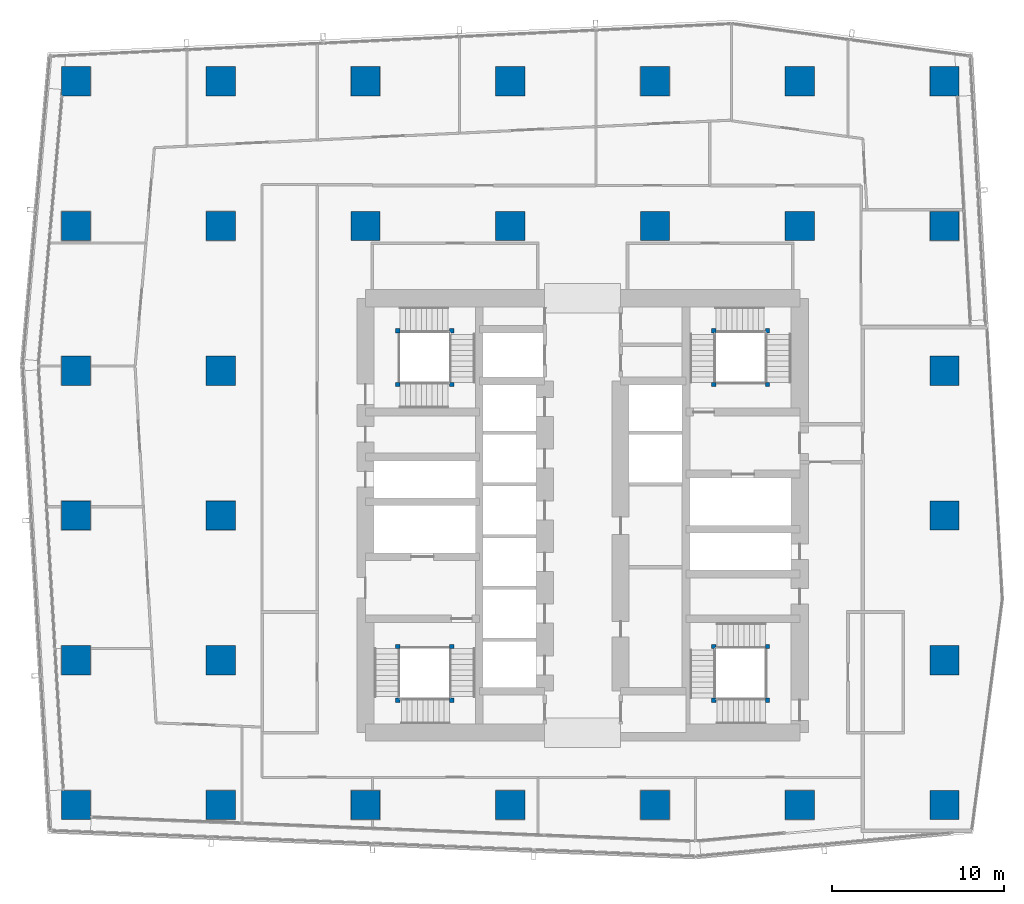
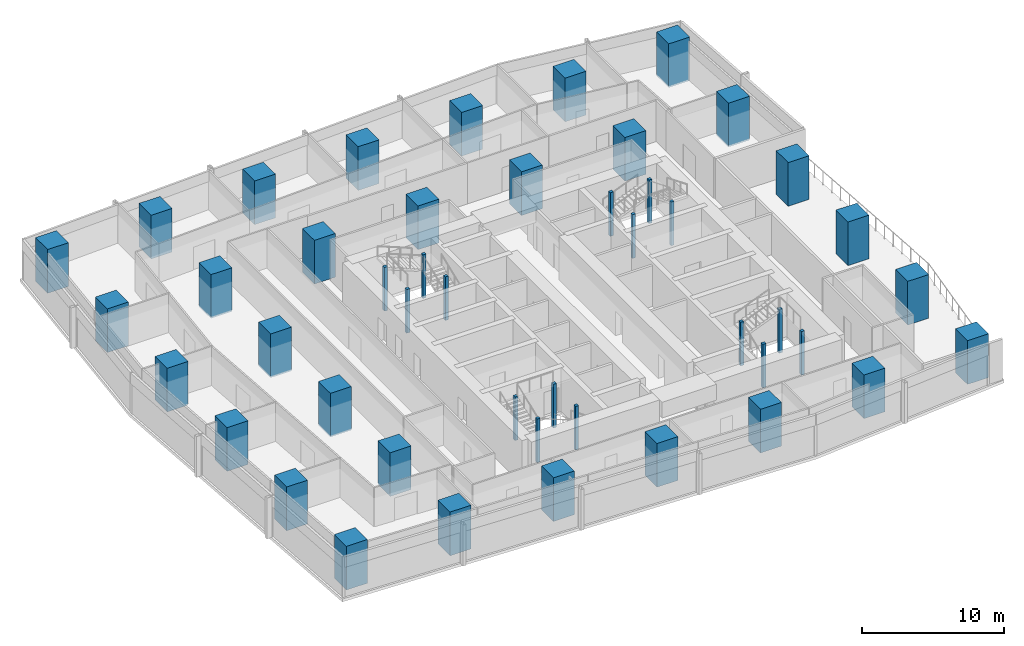
# One storey, part 1 of 34: 46 columns.
"""IFC4 building model written with IfcOpenShell, lengths in metres."""

from ifc_helpers import new_model, si_unit, direction, frame, origin, origin_2d, place, context, subcontext, project, spatial, rectangle, extrude, material, material_profile, profile_set, type_object, element, save


model = new_model("IFC4")

# Units and contexts
model_context = context("Model", 3, precision=1e-05, world=origin(), true_north=direction((0.0, 1.0)))
body_context = subcontext(model_context, "Body", "Model", "MODEL_VIEW")
ifc_project = project(units=[si_unit("LENGTHUNIT", "METRE"), si_unit("AREAUNIT", "SQUARE_METRE"), si_unit("VOLUMEUNIT", "CUBIC_METRE"), si_unit("PLANEANGLEUNIT", "RADIAN"), si_unit("MASSUNIT", "GRAM", prefix="KILO")], contexts=[model_context])

# Site, building, storey
site_placement = place(None, origin())
site = spatial("IfcSite", under=ifc_project, at=site_placement, CompositionType="ELEMENT")
building_placement = place(site_placement, origin())
building = spatial("IfcBuilding", under=site, at=building_placement, Name="Rekha Terrace Tower", CompositionType="ELEMENT")
storey_placement = place(building_placement, frame((0.0, 0.0, 176.449951171875)))
storey = spatial("IfcBuildingStorey", under=building, at=storey_placement, Name="L44", CompositionType="ELEMENT", Elevation=176.449951171875)

# Columns
ifc_material_1 = material(Name="Concrete M70", Category="concrete")
ifc_material_profile_1 = material_profile(ifc_material_1, rectangle(XDim=1.699951171875, YDim=1.699951171875, at=origin_2d()), Name="RC 1700x1700")
ifc_profile_set_1 = profile_set([ifc_material_profile_1], Name="Concrete M70")
column_type_1 = type_object("IfcColumnType", Name="C4C 1700x1700 column", PredefinedType="COLUMN", material=ifc_profile_set_1)
for number, where, z_axis, x_axis, name in (
    (1, (8.39990234375, 16.800048828125, 0.0), (0.0, 0.0, 1.0), (1.0, 0.0, 0.0), "Column C4C 2/C L44"),
    (2, (8.39990234375, 25.199951171875, 0.0), (0.0, 0.0, 1.0), (1.0, 0.0, 0.0), "Column C4C 2/D L44"),
    (3, (8.39990234375, 33.60009765625, 0.0), (0.0, 0.0, 1.0), (1.0, 0.0, 0.0), "Column C4C 2/E L44"),
    (4, (8.39990234375, 42.0, 0.0), (0.0, 0.0, 1.0), (1.0, 0.0, 0.0), "Column C4C 2/F L44"),
    (5, (8.39990234375, 50.39990234375, 0.0), (0.0, 0.0, 1.0), (1.0, 0.0, 0.0), "Column C4C 2/G L44"),
    (6, (8.39990234375, 58.800048828125, 0.0), (0.0, 0.0, 1.0), (1.0, 0.0, 0.0), "Column C4C 2/H L44"),
    (7, (16.800048828125, 16.800048828125, 0.0), (0.0, 0.0, 1.0), (1.0, 0.0, 0.0), "Column C4C 3/C L44"),
    (8, (16.800048828125, 25.199951171875, 0.0), (0.0, 0.0, 1.0), (1.0, 0.0, 0.0), "Column C4C 3/D L44"),
    (9, (16.800048828125, 33.60009765625, 0.0), (0.0, 0.0, 1.0), (1.0, 0.0, 0.0), "Column C4C 3/E L44"),
    (10, (16.800048828125, 42.0, 0.0), (0.0, 0.0, 1.0), (1.0, 0.0, 0.0), "Column C4C 3/F L44"),
    (11, (16.800048828125, 50.39990234375, 0.0), (0.0, 0.0, 1.0), (1.0, 0.0, 0.0), "Column C4C 3/G L44"),
    (12, (16.800048828125, 58.800048828125, 0.0), (0.0, 0.0, 1.0), (1.0, 0.0, 0.0), "Column C4C 3/H L44"),
    (13, (25.199951171875, 16.800048828125, 0.0), (0.0, 0.0, 1.0), (1.0, 0.0, 0.0), "Column C4C 4/C L44"),
    (14, (25.199951171875, 50.39990234375, 0.0), (0.0, 0.0, 1.0), (1.0, 0.0, 0.0), "Column C4C 4/G L44"),
    (15, (25.199951171875, 58.800048828125, 0.0), (0.0, 0.0, 1.0), (1.0, 0.0, 0.0), "Column C4C 4/H L44"),
    (16, (33.60009765625, 16.800048828125, 0.0), (0.0, 0.0, 1.0), (1.0, 0.0, 0.0), "Column C4C 5/C L44"),
    (17, (33.60009765625, 50.39990234375, 0.0), (0.0, 0.0, 1.0), (1.0, 0.0, 0.0), "Column C4C 5/G L44"),
    (18, (33.60009765625, 58.800048828125, 0.0), (0.0, 0.0, 1.0), (1.0, 0.0, 0.0), "Column C4C 5/H L44"),
    (19, (42.0, 16.800048828125, 0.0), (0.0, 0.0, 1.0), (1.0, 0.0, 0.0), "Column C4C 6/C L44"),
    (20, (42.0, 50.39990234375, 0.0), (0.0, 0.0, 1.0), (1.0, 0.0, 0.0), "Column C4C 6/G L44"),
    (21, (42.0, 58.800048828125, 0.0), (0.0, 0.0, 1.0), (1.0, 0.0, 0.0), "Column C4C 6/H L44"),
    (22, (50.39990234375, 16.800048828125, 0.0), (0.0, 0.0, 1.0), (1.0, 0.0, 0.0), "Column C4C 7/C L44"),
    (23, (50.39990234375, 50.39990234375, 0.0), (0.0, 0.0, 1.0), (1.0, 0.0, 0.0), "Column C4C 7/G L44"),
    (24, (50.39990234375, 58.800048828125, 0.0), (0.0, 0.0, 1.0), (1.0, 0.0, 0.0), "Column C4C 7/H L44"),
    (25, (58.800048828125, 16.800048828125, 0.0), (0.0, 0.0, 1.0), (1.0, 0.0, 0.0), "Column C4C 8/C L44"),
    (26, (58.800048828125, 25.199951171875, 0.0), (0.0, 0.0, 1.0), (1.0, 0.0, 0.0), "Column C4C 8/D L44"),
    (27, (58.800048828125, 33.60009765625, 0.0), (0.0, 0.0, 1.0), (1.0, 0.0, 0.0), "Column C4C 8/E L44"),
    (28, (58.800048828125, 42.0, 0.0), (0.0, 0.0, 1.0), (1.0, 0.0, 0.0), "Column C4C 8/F L44"),
    (29, (58.800048828125, 50.39990234375, 0.0), (0.0, 0.0, 1.0), (1.0, 0.0, 0.0), "Column C4C 8/G L44"),
    (30, (58.800048828125, 58.800048828125, 0.0), (0.0, 0.0, 1.0), (1.0, 0.0, 0.0), "Column C4C 8/H L44"),
):
    element("IfcColumn", number, at=place(storey_placement, frame(where, z_axis=z_axis, x_axis=x_axis)), inside=storey, type_object=column_type_1, Name=name, PredefinedType="COLUMN", context=body_context, shape_type="SweptSolid", body=[
        extrude(rectangle(XDim=1.699951171875, YDim=1.699951171875, at=origin_2d()), origin(), (0.0, 0.0, 1.0), 3.75),
    ])
ifc_material_2 = material(Name="Concrete M60", Category="concrete")
ifc_material_profile_2 = material_profile(ifc_material_2, rectangle(XDim=0.25, YDim=0.25, at=origin_2d()), Name="RC 250x250")
ifc_profile_set_2 = profile_set([ifc_material_profile_2], Name="Concrete M60")
column_type_2 = type_object("IfcColumnType", Name="NP1 250x250 stair newel post", PredefinedType="COLUMN", material=ifc_profile_set_2)
for number, where, z_axis, x_axis, name in (
    (31, (30.199951171875, 26.0, 0.0), (0.0, 0.0, 1.0), (1.0, 0.0, 0.0), "Stair newel post NP1"),
    (32, (30.199951171875, 22.875, 0.0), (0.0, 0.0, 1.0), (1.0, 0.0, 0.0), "Stair newel post NP1"),
    (33, (27.074951171875, 22.875, 0.0), (0.0, 0.0, 1.0), (1.0, 0.0, 0.0), "Stair newel post NP1"),
    (34, (27.074951171875, 26.0, 0.0), (0.0, 0.0, 1.0), (1.0, 0.0, 0.0), "Stair newel post NP1"),
    (35, (45.39990234375, 41.199951171875, 0.0), (0.0, 0.0, 1.0), (1.0, 0.0, 0.0), "Stair newel post NP1"),
    (36, (45.39990234375, 44.324951171875, 0.0), (0.0, 0.0, 1.0), (1.0, 0.0, 0.0), "Stair newel post NP1"),
    (37, (48.52490234375, 44.324951171875, 0.0), (0.0, 0.0, 1.0), (1.0, 0.0, 0.0), "Stair newel post NP1"),
    (38, (48.52490234375, 41.199951171875, 0.0), (0.0, 0.0, 1.0), (1.0, 0.0, 0.0), "Stair newel post NP1"),
    (39, (48.52490234375, 22.875, 0.0), (0.0, 0.0, 1.0), (1.0, 0.0, 0.0), "Stair newel post NP1"),
    (40, (45.39990234375, 22.875, 0.0), (0.0, 0.0, 1.0), (1.0, 0.0, 0.0), "Stair newel post NP1"),
    (41, (45.39990234375, 26.0, 0.0), (0.0, 0.0, 1.0), (1.0, 0.0, 0.0), "Stair newel post NP1"),
    (42, (48.52490234375, 26.0, 0.0), (0.0, 0.0, 1.0), (1.0, 0.0, 0.0), "Stair newel post NP1"),
    (43, (27.074951171875, 41.199951171875, 0.0), (0.0, 0.0, 1.0), (1.0, 0.0, 0.0), "Stair newel post NP1"),
    (44, (30.199951171875, 41.199951171875, 0.0), (0.0, 0.0, 1.0), (1.0, 0.0, 0.0), "Stair newel post NP1"),
    (45, (30.199951171875, 44.324951171875, 0.0), (0.0, 0.0, 1.0), (1.0, 0.0, 0.0), "Stair newel post NP1"),
    (46, (27.074951171875, 44.324951171875, 0.0), (0.0, 0.0, 1.0), (1.0, 0.0, 0.0), "Stair newel post NP1"),
):
    element("IfcColumn", number, at=place(storey_placement, frame(where, z_axis=z_axis, x_axis=x_axis)), inside=storey, type_object=column_type_2, Name=name, PredefinedType="COLUMN", context=body_context, shape_type="SweptSolid", body=[
        extrude(rectangle(XDim=0.25, YDim=0.25, at=origin_2d()), origin(), (0.0, 0.0, 1.0), 3.75),
    ])

save(model, "model.ifc")
